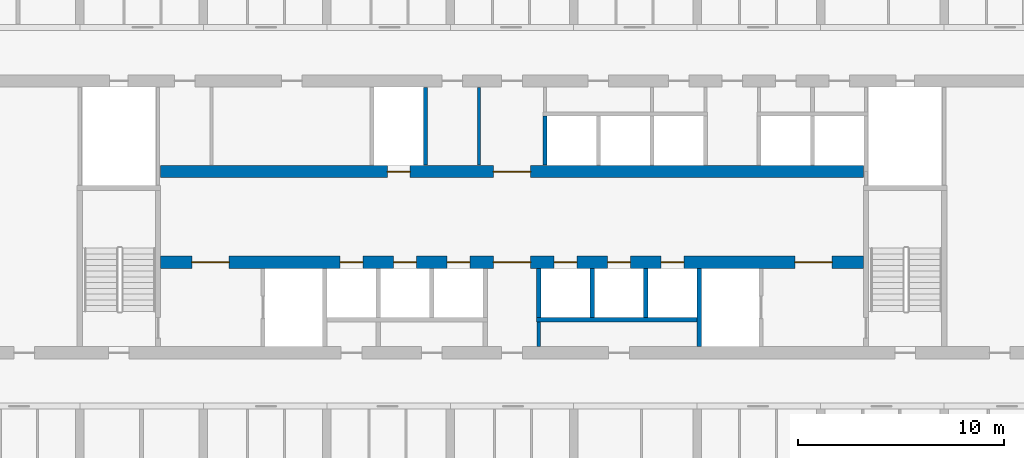
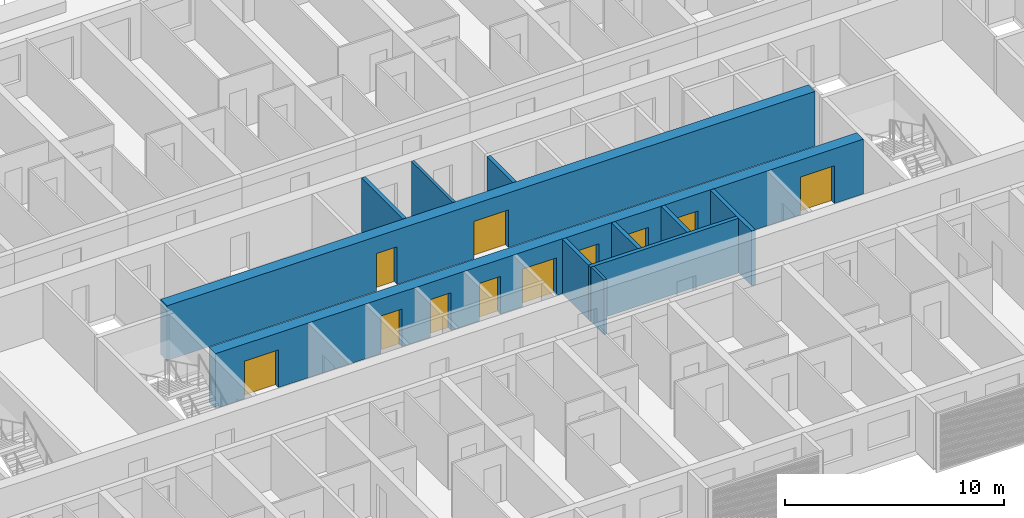
# One storey, part 9 of 23: 11 doors, 11 walls, 11 openings.
"""IFC4 building model written with IfcOpenShell, lengths in metres."""

from ifc_helpers import new_model, si_unit, direction, frame, frame_2d, origin, place, context, subcontext, project, spatial, rectangle, extrude, material, layer, layer_set, type_object, element, fill, save


model = new_model("IFC4")

# Units and contexts
model_context = context("Model", 3, precision=1e-05, world=origin(), true_north=direction((0.0, 1.0)))
body_context = subcontext(model_context, "Body", "Model", "MODEL_VIEW")
ifc_project = project(units=[si_unit("LENGTHUNIT", "METRE"), si_unit("AREAUNIT", "SQUARE_METRE"), si_unit("VOLUMEUNIT", "CUBIC_METRE"), si_unit("PLANEANGLEUNIT", "RADIAN"), si_unit("MASSUNIT", "GRAM", prefix="KILO")], contexts=[model_context])

# Site, building, storey
site_placement = place(None, origin())
site = spatial("IfcSite", under=ifc_project, at=site_placement, CompositionType="ELEMENT")
building_placement = place(site_placement, origin())
building = spatial("IfcBuilding", under=site, at=building_placement, Name="Poui Terraces", CompositionType="ELEMENT")
storey_placement = place(building_placement, frame((0.0, 0.0, 23.39990234375)))
storey = spatial("IfcBuildingStorey", under=building, at=storey_placement, Name="L05", CompositionType="ELEMENT", Elevation=23.39990234375)

# Wall, openings, doors
ifc_material_1 = material(Name="Concrete 80 MPa", Category="concrete")
ifc_layer_1 = layer(ifc_material_1, 0.60009765625)
ifc_layer_set_1 = layer_set([ifc_layer_1], Name="Concrete 80 MPa")
wall_type_1 = type_object("IfcWallType", Name="CORE WALL 600 80 MPA", PredefinedType="SOLIDWALL", material=ifc_layer_set_1)
wall_1_placement = place(storey_placement, frame((33.925048828125, 19.0, 0.0), z_axis=(0.0, 0.0, 1.0), x_axis=(1.0, 0.0, 0.0)))
wall_1 = element("IfcWall", 1, at=wall_1_placement, inside=storey, type_object=wall_type_1, Name="CORE WALL", PredefinedType="SOLIDWALL", context=body_context, shape_type="SweptSolid", body=[
    extrude(rectangle(XDim=34.14990234375, YDim=0.60009765625, at=frame_2d((17.074951171875, 0.0))), origin(), (0.0, 0.0, 1.0), 3.050048828125),
])
opening_1_placement = place(wall_1_placement, frame((16.175048828125, 0.0, 0.0)))
opening_1 = element("IfcOpeningElement", 2, at=opening_1_placement, cuts=wall_1, Name="Opening FDD60", PredefinedType="OPENING", context=body_context, shape_type="SweptSolid", body=[
    extrude(rectangle(XDim=1.800048828125, YDim=2.10009765625, at=frame_2d((0.89990234375, 1.050048828125))), frame((0.0, 0.31005859375, 0.0), z_axis=(0.0, -1.0, 0.0), x_axis=(1.0, 0.0, 0.0)), (0.0, 0.0, 1.0), 0.6201171875),
])
opening_2_placement = place(wall_1_placement, frame((1.52490234375, 0.0, 0.0)))
opening_2 = element("IfcOpeningElement", 3, at=opening_2_placement, cuts=wall_1, Name="Opening FDD60", PredefinedType="OPENING", context=body_context, shape_type="SweptSolid", body=[
    extrude(rectangle(XDim=1.800048828125, YDim=2.10009765625, at=frame_2d((0.89990234375, 1.050048828125))), frame((0.0, 0.31005859375, 0.0), z_axis=(0.0, -1.0, 0.0), x_axis=(1.0, 0.0, 0.0)), (0.0, 0.0, 1.0), 0.6201171875),
])
opening_3_placement = place(wall_1_placement, frame((8.72509765625, 0.0, 0.0)))
opening_3 = element("IfcOpeningElement", 4, at=opening_3_placement, cuts=wall_1, Name="Opening LD", PredefinedType="OPENING", context=body_context, shape_type="SweptSolid", body=[
    extrude(rectangle(XDim=1.10009765625, YDim=2.10009765625, at=frame_2d((0.550048828125, 1.050048828125))), frame((0.0, 0.31005859375, 0.0), z_axis=(0.0, -1.0, 0.0), x_axis=(1.0, 0.0, 0.0)), (0.0, 0.0, 1.0), 0.6201171875),
])
opening_4_placement = place(wall_1_placement, frame((11.324951171875, 0.0, 0.0)))
opening_4 = element("IfcOpeningElement", 5, at=opening_4_placement, cuts=wall_1, Name="Opening LD", PredefinedType="OPENING", context=body_context, shape_type="SweptSolid", body=[
    extrude(rectangle(XDim=1.10009765625, YDim=2.10009765625, at=frame_2d((0.550048828125, 1.050048828125))), frame((0.0, 0.31005859375, 0.0), z_axis=(0.0, -1.0, 0.0), x_axis=(1.0, 0.0, 0.0)), (0.0, 0.0, 1.0), 0.6201171875),
])
opening_5_placement = place(wall_1_placement, frame((13.925048828125, 0.0, 0.0)))
opening_5 = element("IfcOpeningElement", 6, at=opening_5_placement, cuts=wall_1, Name="Opening LD", PredefinedType="OPENING", context=body_context, shape_type="SweptSolid", body=[
    extrude(rectangle(XDim=1.10009765625, YDim=2.10009765625, at=frame_2d((0.550048828125, 1.050048828125))), frame((0.0, 0.31005859375, 0.0), z_axis=(0.0, -1.0, 0.0), x_axis=(1.0, 0.0, 0.0)), (0.0, 0.0, 1.0), 0.6201171875),
])
opening_6_placement = place(wall_1_placement, frame((19.125, 0.0, 0.0)))
opening_6 = element("IfcOpeningElement", 7, at=opening_6_placement, cuts=wall_1, Name="Opening LD", PredefinedType="OPENING", context=body_context, shape_type="SweptSolid", body=[
    extrude(rectangle(XDim=1.10009765625, YDim=2.10009765625, at=frame_2d((0.550048828125, 1.050048828125))), frame((0.0, 0.31005859375, 0.0), z_axis=(0.0, -1.0, 0.0), x_axis=(1.0, 0.0, 0.0)), (0.0, 0.0, 1.0), 0.6201171875),
])
opening_7_placement = place(wall_1_placement, frame((21.72509765625, 0.0, 0.0)))
opening_7 = element("IfcOpeningElement", 8, at=opening_7_placement, cuts=wall_1, Name="Opening LD", PredefinedType="OPENING", context=body_context, shape_type="SweptSolid", body=[
    extrude(rectangle(XDim=1.10009765625, YDim=2.10009765625, at=frame_2d((0.550048828125, 1.050048828125))), frame((0.0, 0.31005859375, 0.0), z_axis=(0.0, -1.0, 0.0), x_axis=(1.0, 0.0, 0.0)), (0.0, 0.0, 1.0), 0.6201171875),
])
opening_8_placement = place(wall_1_placement, frame((24.324951171875, 0.0, 0.0)))
opening_8 = element("IfcOpeningElement", 9, at=opening_8_placement, cuts=wall_1, Name="Opening LD", PredefinedType="OPENING", context=body_context, shape_type="SweptSolid", body=[
    extrude(rectangle(XDim=1.10009765625, YDim=2.10009765625, at=frame_2d((0.550048828125, 1.050048828125))), frame((0.0, 0.31005859375, 0.0), z_axis=(0.0, -1.0, 0.0), x_axis=(1.0, 0.0, 0.0)), (0.0, 0.0, 1.0), 0.6201171875),
])
opening_9_placement = place(wall_1_placement, frame((30.824951171875, 0.0, 0.0)))
opening_9 = element("IfcOpeningElement", 10, at=opening_9_placement, cuts=wall_1, Name="Opening FDD60", PredefinedType="OPENING", context=body_context, shape_type="SweptSolid", body=[
    extrude(rectangle(XDim=1.800048828125, YDim=2.10009765625, at=frame_2d((0.89990234375, 1.050048828125))), frame((0.0, 0.31005859375, 0.0), z_axis=(0.0, -1.0, 0.0), x_axis=(1.0, 0.0, 0.0)), (0.0, 0.0, 1.0), 0.6201171875),
])
ifc_material_2 = material(Name="Steel fire door", Category="steel")
door_type_1 = type_object("IfcDoorType", Name="DOUBLE LOBBY FIRE DOOR 1800 X 2100", OperationType="DOUBLE_DOOR_SINGLE_SWING", PredefinedType="DOOR", material=ifc_material_2)
door_1_placement = place(opening_1_placement, frame((1.800048828125, 0.0, 0.0), z_axis=(0.0, 0.0, 1.0), x_axis=(-1.0, 0.0, 0.0)))
door_1 = element("IfcDoor", 11, at=door_1_placement, inside=storey, type_object=door_type_1, Name="DOUBLE LOBBY FIRE DOOR 157", OperationType="DOUBLE_DOOR_SINGLE_SWING", OverallHeight=2.10009765625, OverallWidth=1.800048828125, PredefinedType="DOOR", context=body_context, shape_type="SweptSolid", body=[
    extrude(rectangle(XDim=1.800048828125, YDim=2.10009765625, at=frame_2d((0.89990234375, 1.050048828125))), frame((0.0, 0.02490234375, 0.0), z_axis=(0.0, -1.0, 0.0), x_axis=(1.0, 0.0, 0.0)), (0.0, 0.0, 1.0), 0.050048828125),
])
fill(opening_1, door_1)
door_2_placement = place(opening_2_placement, origin())
door_2 = element("IfcDoor", 12, at=door_2_placement, inside=storey, type_object=door_type_1, Name="DOUBLE LOBBY FIRE DOOR 158", OperationType="DOUBLE_DOOR_SINGLE_SWING", OverallHeight=2.10009765625, OverallWidth=1.800048828125, PredefinedType="DOOR", context=body_context, shape_type="SweptSolid", body=[
    extrude(rectangle(XDim=1.800048828125, YDim=2.10009765625, at=frame_2d((0.89990234375, 1.050048828125))), frame((0.0, 0.02490234375, 0.0), z_axis=(0.0, -1.0, 0.0), x_axis=(1.0, 0.0, 0.0)), (0.0, 0.0, 1.0), 0.050048828125),
])
fill(opening_2, door_2)
door_3_placement = place(opening_9_placement, origin())
door_3 = element("IfcDoor", 13, at=door_3_placement, inside=storey, type_object=door_type_1, Name="DOUBLE LOBBY FIRE DOOR 166", OperationType="DOUBLE_DOOR_SINGLE_SWING", OverallHeight=2.10009765625, OverallWidth=1.800048828125, PredefinedType="DOOR", context=body_context, shape_type="SweptSolid", body=[
    extrude(rectangle(XDim=1.800048828125, YDim=2.10009765625, at=frame_2d((0.89990234375, 1.050048828125))), frame((0.0, 0.02490234375, 0.0), z_axis=(0.0, -1.0, 0.0), x_axis=(1.0, 0.0, 0.0)), (0.0, 0.0, 1.0), 0.050048828125),
])
fill(opening_9, door_3)
ifc_material_3 = material(Name="Stainless steel sliding door", Category="steel")
door_type_2 = type_object("IfcDoorType", Name="LIFT LANDING DOOR 1100 X 2100", OperationType="DOUBLE_DOOR_SLIDING", PredefinedType="DOOR", material=ifc_material_3)
door_4_placement = place(opening_3_placement, origin())
door_4 = element("IfcDoor", 14, at=door_4_placement, inside=storey, type_object=door_type_2, Name="LANDING DOOR", OperationType="DOUBLE_DOOR_SLIDING", OverallHeight=2.10009765625, OverallWidth=1.10009765625, PredefinedType="DOOR", context=body_context, shape_type="SweptSolid", body=[
    extrude(rectangle(XDim=1.10009765625, YDim=2.10009765625, at=frame_2d((0.550048828125, 1.050048828125))), frame((0.0, 0.02490234375, 0.0), z_axis=(0.0, -1.0, 0.0), x_axis=(1.0, 0.0, 0.0)), (0.0, 0.0, 1.0), 0.050048828125),
])
fill(opening_3, door_4)
door_5_placement = place(opening_4_placement, origin())
door_5 = element("IfcDoor", 15, at=door_5_placement, inside=storey, type_object=door_type_2, Name="LANDING DOOR", OperationType="DOUBLE_DOOR_SLIDING", OverallHeight=2.10009765625, OverallWidth=1.10009765625, PredefinedType="DOOR", context=body_context, shape_type="SweptSolid", body=[
    extrude(rectangle(XDim=1.10009765625, YDim=2.10009765625, at=frame_2d((0.550048828125, 1.050048828125))), frame((0.0, 0.02490234375, 0.0), z_axis=(0.0, -1.0, 0.0), x_axis=(1.0, 0.0, 0.0)), (0.0, 0.0, 1.0), 0.050048828125),
])
fill(opening_4, door_5)
door_6_placement = place(opening_5_placement, origin())
door_6 = element("IfcDoor", 16, at=door_6_placement, inside=storey, type_object=door_type_2, Name="LANDING DOOR", OperationType="DOUBLE_DOOR_SLIDING", OverallHeight=2.10009765625, OverallWidth=1.10009765625, PredefinedType="DOOR", context=body_context, shape_type="SweptSolid", body=[
    extrude(rectangle(XDim=1.10009765625, YDim=2.10009765625, at=frame_2d((0.550048828125, 1.050048828125))), frame((0.0, 0.02490234375, 0.0), z_axis=(0.0, -1.0, 0.0), x_axis=(1.0, 0.0, 0.0)), (0.0, 0.0, 1.0), 0.050048828125),
])
fill(opening_5, door_6)
door_7_placement = place(opening_6_placement, origin())
door_7 = element("IfcDoor", 17, at=door_7_placement, inside=storey, type_object=door_type_2, Name="LANDING DOOR", OperationType="DOUBLE_DOOR_SLIDING", OverallHeight=2.10009765625, OverallWidth=1.10009765625, PredefinedType="DOOR", context=body_context, shape_type="SweptSolid", body=[
    extrude(rectangle(XDim=1.10009765625, YDim=2.10009765625, at=frame_2d((0.550048828125, 1.050048828125))), frame((0.0, 0.02490234375, 0.0), z_axis=(0.0, -1.0, 0.0), x_axis=(1.0, 0.0, 0.0)), (0.0, 0.0, 1.0), 0.050048828125),
])
fill(opening_6, door_7)
door_8_placement = place(opening_7_placement, origin())
door_8 = element("IfcDoor", 18, at=door_8_placement, inside=storey, type_object=door_type_2, Name="LANDING DOOR", OperationType="DOUBLE_DOOR_SLIDING", OverallHeight=2.10009765625, OverallWidth=1.10009765625, PredefinedType="DOOR", context=body_context, shape_type="SweptSolid", body=[
    extrude(rectangle(XDim=1.10009765625, YDim=2.10009765625, at=frame_2d((0.550048828125, 1.050048828125))), frame((0.0, 0.02490234375, 0.0), z_axis=(0.0, -1.0, 0.0), x_axis=(1.0, 0.0, 0.0)), (0.0, 0.0, 1.0), 0.050048828125),
])
fill(opening_7, door_8)
door_9_placement = place(opening_8_placement, origin())
door_9 = element("IfcDoor", 19, at=door_9_placement, inside=storey, type_object=door_type_2, Name="LANDING DOOR", OperationType="DOUBLE_DOOR_SLIDING", OverallHeight=2.10009765625, OverallWidth=1.10009765625, PredefinedType="DOOR", context=body_context, shape_type="SweptSolid", body=[
    extrude(rectangle(XDim=1.10009765625, YDim=2.10009765625, at=frame_2d((0.550048828125, 1.050048828125))), frame((0.0, 0.02490234375, 0.0), z_axis=(0.0, -1.0, 0.0), x_axis=(1.0, 0.0, 0.0)), (0.0, 0.0, 1.0), 0.050048828125),
])
fill(opening_8, door_9)

wall_2_placement = place(storey_placement, frame((33.925048828125, 23.39990234375, 0.0), z_axis=(0.0, 0.0, 1.0), x_axis=(1.0, 0.0, 0.0)))
wall_2 = element("IfcWall", 20, at=wall_2_placement, inside=storey, type_object=wall_type_1, Name="CORE WALL", PredefinedType="SOLIDWALL", context=body_context, shape_type="SweptSolid", body=[
    extrude(rectangle(XDim=34.14990234375, YDim=0.60009765625, at=frame_2d((17.074951171875, 0.0))), origin(), (0.0, 0.0, 1.0), 3.050048828125),
])
opening_10_placement = place(wall_2_placement, frame((16.175048828125, 0.0, 0.0)))
opening_10 = element("IfcOpeningElement", 21, at=opening_10_placement, cuts=wall_2, Name="Opening FDD60", PredefinedType="OPENING", context=body_context, shape_type="SweptSolid", body=[
    extrude(rectangle(XDim=1.800048828125, YDim=2.10009765625, at=frame_2d((0.89990234375, 1.050048828125))), frame((0.0, 0.31005859375, 0.0), z_axis=(0.0, -1.0, 0.0), x_axis=(1.0, 0.0, 0.0)), (0.0, 0.0, 1.0), 0.6201171875),
])
opening_11_placement = place(wall_2_placement, frame((11.02490234375, 0.0, 0.0)))
opening_11 = element("IfcOpeningElement", 22, at=opening_11_placement, cuts=wall_2, Name="Opening LD", PredefinedType="OPENING", context=body_context, shape_type="SweptSolid", body=[
    extrude(rectangle(XDim=1.10009765625, YDim=2.10009765625, at=frame_2d((0.550048828125, 1.050048828125))), frame((0.0, 0.31005859375, 0.0), z_axis=(0.0, -1.0, 0.0), x_axis=(1.0, 0.0, 0.0)), (0.0, 0.0, 1.0), 0.6201171875),
])
door_10_placement = place(opening_10_placement, origin())
door_10 = element("IfcDoor", 23, at=door_10_placement, inside=storey, type_object=door_type_1, Name="DOUBLE LOBBY FIRE DOOR 156", OperationType="DOUBLE_DOOR_SINGLE_SWING", OverallHeight=2.10009765625, OverallWidth=1.800048828125, PredefinedType="DOOR", context=body_context, shape_type="SweptSolid", body=[
    extrude(rectangle(XDim=1.800048828125, YDim=2.10009765625, at=frame_2d((0.89990234375, 1.050048828125))), frame((0.0, 0.02490234375, 0.0), z_axis=(0.0, -1.0, 0.0), x_axis=(1.0, 0.0, 0.0)), (0.0, 0.0, 1.0), 0.050048828125),
])
fill(opening_10, door_10)
door_11_placement = place(opening_11_placement, origin())
door_11 = element("IfcDoor", 24, at=door_11_placement, inside=storey, type_object=door_type_2, Name="LANDING DOOR", OperationType="DOUBLE_DOOR_SLIDING", OverallHeight=2.10009765625, OverallWidth=1.10009765625, PredefinedType="DOOR", context=body_context, shape_type="SweptSolid", body=[
    extrude(rectangle(XDim=1.10009765625, YDim=2.10009765625, at=frame_2d((0.550048828125, 1.050048828125))), frame((0.0, 0.02490234375, 0.0), z_axis=(0.0, -1.0, 0.0), x_axis=(1.0, 0.0, 0.0)), (0.0, 0.0, 1.0), 0.050048828125),
])
fill(opening_11, door_11)

# Walls
ifc_material_4 = material(Name="Fire-rated plasterboard wall")
ifc_layer_2 = layer(ifc_material_4, 0.14990234375)
ifc_layer_set_2 = layer_set([ifc_layer_2], Name="Fire-rated plasterboard wall")
wall_type_2 = type_object("IfcWallType", Name="CORRIDOR WALL 150", PredefinedType="PARTITIONING", material=ifc_layer_set_2)
wall_3_placement = place(storey_placement, frame((49.39990234375, 23.7099609375, 0.0), z_axis=(0.0, 0.0, 1.0), x_axis=(0.0, 1.0, 0.0)))
element("IfcWall", 25, at=wall_3_placement, inside=storey, type_object=wall_type_2, Name="CORRIDOR WALL 150", PredefinedType="PARTITIONING", context=body_context, shape_type="SweptSolid", body=[
    extrude(rectangle(XDim=3.780029296875, YDim=0.14990234375, at=frame_2d((1.89013671875, 0.0))), origin(), (0.0, 0.0, 1.0), 3.050048828125),
])
wall_4_placement = place(storey_placement, frame((52.300048828125, 14.909912109375, 0.0), z_axis=(0.0, 0.0, 1.0), x_axis=(0.0, 1.0, 0.0)))
element("IfcWall", 26, at=wall_4_placement, inside=storey, type_object=wall_type_2, Name="CORRIDOR WALL 150", PredefinedType="PARTITIONING", context=body_context, shape_type="SweptSolid", body=[
    extrude(rectangle(XDim=1.190185546875, YDim=0.14990234375, at=frame_2d((0.59521484375, 0.0))), origin(), (0.0, 0.0, 1.0), 3.050048828125),
])
ifc_material_5 = material(Name="Fire-rated masonry shaft wall", Category="masonry")
ifc_layer_3 = layer(ifc_material_5, 0.199951171875)
ifc_layer_set_3 = layer_set([ifc_layer_3], Name="Fire-rated masonry shaft wall")
wall_type_3 = type_object("IfcWallType", Name="SHAFT WALL 200", PredefinedType="PARTITIONING", material=ifc_layer_set_3)
wall_5_placement = place(storey_placement, frame((52.199951171875, 16.199951171875, 0.0), z_axis=(0.0, 0.0, 1.0), x_axis=(1.0, 0.0, 0.0)))
element("IfcWall", 27, at=wall_5_placement, inside=storey, type_object=wall_type_3, Name="SHAFT WALL 200", PredefinedType="PARTITIONING", context=body_context, shape_type="SweptSolid", body=[
    extrude(rectangle(XDim=7.800048828125, YDim=0.199951171875, at=frame_2d((3.89990234375, 0.0))), origin(), (0.0, 0.0, 1.0), 3.050048828125),
])
wall_6_placement = place(storey_placement, frame((46.800048828125, 23.7099609375, 0.0), z_axis=(0.0, 0.0, 1.0), x_axis=(0.0, 1.0, 0.0)))
element("IfcWall", 28, at=wall_6_placement, inside=storey, type_object=wall_type_3, Name="SHAFT WALL 200", PredefinedType="PARTITIONING", context=body_context, shape_type="SweptSolid", body=[
    extrude(rectangle(XDim=3.780029296875, YDim=0.199951171875, at=frame_2d((1.89013671875, 0.0))), origin(), (0.0, 0.0, 1.0), 3.050048828125),
])
wall_7_placement = place(storey_placement, frame((52.300048828125, 16.300048828125, 0.0), z_axis=(0.0, 0.0, 1.0), x_axis=(0.0, 1.0, 0.0)))
element("IfcWall", 29, at=wall_7_placement, inside=storey, type_object=wall_type_3, Name="SHAFT WALL 200", PredefinedType="PARTITIONING", context=body_context, shape_type="SweptSolid", body=[
    extrude(rectangle(XDim=2.389892578125, YDim=0.199951171875, at=frame_2d((1.19482421875, 0.0))), origin(), (0.0, 0.0, 1.0), 3.050048828125),
])
wall_8_placement = place(storey_placement, frame((52.60009765625, 23.7099609375, 0.0), z_axis=(0.0, 0.0, 1.0), x_axis=(0.0, 1.0, 0.0)))
element("IfcWall", 30, at=wall_8_placement, inside=storey, type_object=wall_type_3, Name="SHAFT WALL 200", PredefinedType="PARTITIONING", context=body_context, shape_type="SweptSolid", body=[
    extrude(rectangle(XDim=2.39013671875, YDim=0.199951171875, at=frame_2d((1.195068359375, 0.0))), origin(), (0.0, 0.0, 1.0), 3.050048828125),
])
for number, where, z_axis, x_axis, name in (
    (31, (54.89990234375, 16.300048828125, 0.0), (0.0, 0.0, 1.0), (0.0, 1.0, 0.0), "SHAFT WALL 200"),
    (32, (57.5, 16.300048828125, 0.0), (0.0, 0.0, 1.0), (0.0, 1.0, 0.0), "SHAFT WALL 200"),
):
    element("IfcWall", number, at=place(storey_placement, frame(where, z_axis=z_axis, x_axis=x_axis)), inside=storey, type_object=wall_type_3, Name=name, PredefinedType="PARTITIONING", context=body_context, shape_type="SweptSolid", body=[
        extrude(rectangle(XDim=2.389892578125, YDim=0.199951171875, at=frame_2d((1.19482421875, 0.0))), origin(), (0.0, 0.0, 1.0), 3.050048828125),
    ])
wall_9_placement = place(storey_placement, frame((60.10009765625, 14.909912109375, 0.0), z_axis=(0.0, 0.0, 1.0), x_axis=(0.0, 1.0, 0.0)))
element("IfcWall", 33, at=wall_9_placement, inside=storey, type_object=wall_type_3, Name="SHAFT WALL 200", PredefinedType="PARTITIONING", context=body_context, shape_type="SweptSolid", body=[
    extrude(rectangle(XDim=3.780029296875, YDim=0.199951171875, at=frame_2d((1.89013671875, 0.0))), origin(), (0.0, 0.0, 1.0), 3.050048828125),
])

save(model, "model.ifc")
